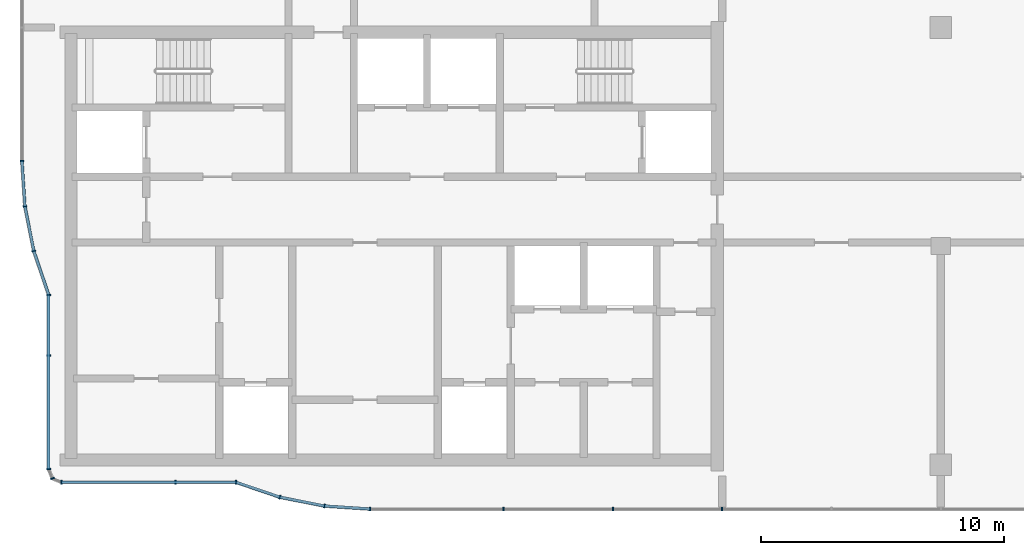
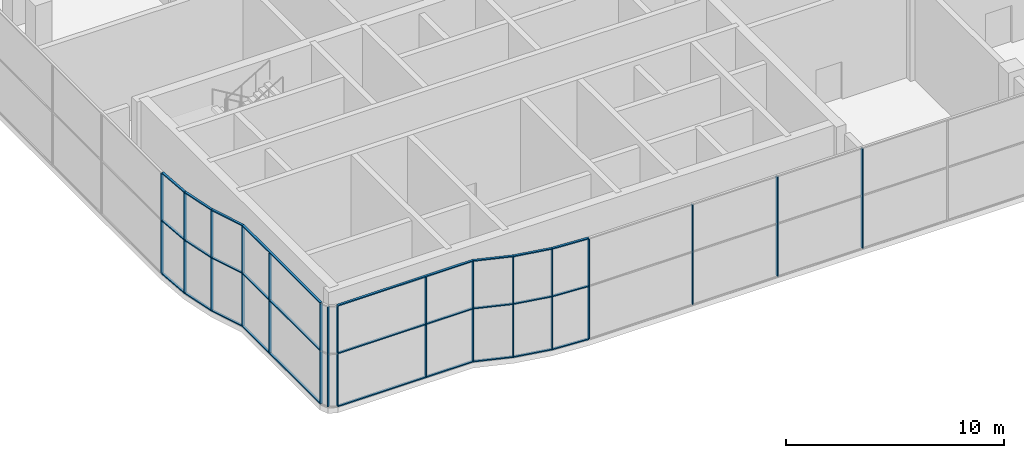
# One storey, part 2 of 19: 40 members, 7 elements without a shape of their own.
"""IFC4 building model written with IfcOpenShell, lengths in metres."""

from ifc_helpers import new_model, si_unit, direction, frame, origin, origin_2d, place, context, subcontext, project, spatial, rectangle, extrude, material, material_profile, profile_set, type_object, element, aggregate, save


model = new_model("IFC4")

# Units and contexts
model_context = context("Model", 3, precision=1e-05, world=origin(), true_north=direction((0.0, 1.0)))
body_context = subcontext(model_context, "Body", "Model", "MODEL_VIEW")
ifc_project = project(units=[si_unit("LENGTHUNIT", "METRE"), si_unit("AREAUNIT", "SQUARE_METRE"), si_unit("VOLUMEUNIT", "CUBIC_METRE"), si_unit("PLANEANGLEUNIT", "RADIAN"), si_unit("MASSUNIT", "GRAM", prefix="KILO")], contexts=[model_context])

# Site, building, storey
site_placement = place(None, origin())
site = spatial("IfcSite", under=ifc_project, at=site_placement, CompositionType="ELEMENT")
building_placement = place(site_placement, origin())
building = spatial("IfcBuilding", under=site, at=building_placement, Name="Ogive Portal Towers", CompositionType="ELEMENT")
storey_placement = place(building_placement, frame((0.0, 0.0, 254.89990234375)))
storey = spatial("IfcBuildingStorey", under=building, at=storey_placement, Name="L63", CompositionType="ELEMENT", Elevation=254.89990234375)

# Curtain wall, members
ifc_material_1 = material(Name="Glass, clear low-iron insulated glazing", Category="glass")
curtain_wall_type = type_object("IfcCurtainWallType", Name="CW OBSERVATION WALL", PredefinedType="NOTDEFINED", material=ifc_material_1)
curtain_wall_1_placement = place(storey_placement, origin())
curtain_wall_1 = element("IfcCurtainWall", 1, at=curtain_wall_1_placement, inside=storey, type_object=curtain_wall_type, Name="A:L63:f00:cw0", PredefinedType="NOTDEFINED")
ifc_material_2 = material(Name="Aluminium 6063 anodised", Category="aluminium")
ifc_material_profile_1 = material_profile(ifc_material_2, rectangle(XDim=0.159912109375, YDim=0.06005859375, at=origin_2d()), Name="AL 60x160")
ifc_profile_set_1 = profile_set([ifc_material_profile_1], Name="Aluminium 6063 anodised")
member_type_1 = type_object("IfcMemberType", Name="CW MULLION 60x160", PredefinedType="MULLION", material=ifc_profile_set_1)
member_1_placement = place(storey_placement, frame((30.780029296875, 28.494873046875, 0.06005859375), z_axis=(0.0, 0.0, 1.0), x_axis=(1.0, 0.0, 0.0)))
member_1 = element("IfcMember", 2, at=member_1_placement, type_object=member_type_1, Name="mullion", PredefinedType="MULLION", context=body_context, shape_type="SweptSolid", body=[
    extrude(rectangle(XDim=0.159912109375, YDim=0.06005859375, at=origin_2d()), origin(), (0.0, 0.0, 1.0), 5.580078125),
])
member_2_placement = place(storey_placement, frame((30.780029296875, 26.0, 0.06005859375), z_axis=(0.0, 0.0, 1.0), x_axis=(1.0, 0.0, 0.0)))
member_2 = element("IfcMember", 3, at=member_2_placement, type_object=member_type_1, Name="mullion", PredefinedType="MULLION", context=body_context, shape_type="SweptSolid", body=[
    extrude(rectangle(XDim=0.159912109375, YDim=0.06005859375, at=origin_2d()), origin(), (0.0, 0.0, 1.0), 5.580078125),
])
member_3_placement = place(storey_placement, frame((30.780029296875, 21.31591796875, 0.06005859375), z_axis=(0.0, 0.0, 1.0), x_axis=(1.0, 0.0, 0.0)))
member_3 = element("IfcMember", 4, at=member_3_placement, type_object=member_type_1, Name="mullion", PredefinedType="MULLION", context=body_context, shape_type="SweptSolid", body=[
    extrude(rectangle(XDim=0.159912109375, YDim=0.06005859375, at=origin_2d()), origin(), (0.0, 0.0, 1.0), 5.580078125),
])

curtain_wall_2_placement = place(storey_placement, origin())
curtain_wall_2 = element("IfcCurtainWall", 5, at=curtain_wall_2_placement, inside=storey, type_object=curtain_wall_type, Name="A:L63:f03:cw0", PredefinedType="NOTDEFINED")
member_4_placement = place(storey_placement, frame((31.31591796875, 20.780029296875, 0.06005859375), z_axis=(0.0, 0.0, 1.0), x_axis=(0.0, 1.0, 0.0)))
member_4 = element("IfcMember", 6, at=member_4_placement, type_object=member_type_1, Name="mullion", PredefinedType="MULLION", context=body_context, shape_type="SweptSolid", body=[
    extrude(rectangle(XDim=0.159912109375, YDim=0.06005859375, at=origin_2d()), origin(), (0.0, 0.0, 1.0), 5.580078125),
])
member_5_placement = place(storey_placement, frame((36.0, 20.780029296875, 0.06005859375), z_axis=(0.0, 0.0, 1.0), x_axis=(0.0, 1.0, 0.0)))
member_5 = element("IfcMember", 7, at=member_5_placement, type_object=member_type_1, Name="mullion", PredefinedType="MULLION", context=body_context, shape_type="SweptSolid", body=[
    extrude(rectangle(XDim=0.159912109375, YDim=0.06005859375, at=origin_2d()), origin(), (0.0, 0.0, 1.0), 5.580078125),
])
member_6_placement = place(storey_placement, frame((38.494873046875, 20.780029296875, 0.06005859375), z_axis=(0.0, 0.0, 1.0), x_axis=(0.0, 1.0, 0.0)))
member_6 = element("IfcMember", 8, at=member_6_placement, type_object=member_type_1, Name="mullion", PredefinedType="MULLION", context=body_context, shape_type="SweptSolid", body=[
    extrude(rectangle(XDim=0.159912109375, YDim=0.06005859375, at=origin_2d()), origin(), (0.0, 0.0, 1.0), 5.580078125),
])

curtain_wall_3_placement = place(storey_placement, origin())
curtain_wall_3 = element("IfcCurtainWall", 9, at=curtain_wall_3_placement, inside=storey, type_object=curtain_wall_type, Name="A:L63:f07:cw0", PredefinedType="NOTDEFINED")
member_7_placement = place(storey_placement, frame((44.002685546875, 19.679931640625, 0.06005859375), z_axis=(0.0, 0.0, 1.0), x_axis=(0.0, 1.0, 0.0)))
member_7 = element("IfcMember", 10, at=member_7_placement, type_object=member_type_1, Name="mullion", PredefinedType="MULLION", context=body_context, shape_type="SweptSolid", body=[
    extrude(rectangle(XDim=0.159912109375, YDim=0.06005859375, at=origin_2d()), origin(), (0.0, 0.0, 1.0), 5.580078125),
])
member_8_placement = place(storey_placement, frame((49.5, 19.679931640625, 0.06005859375), z_axis=(0.0, 0.0, 1.0), x_axis=(0.0, 1.0, 0.0)))
member_8 = element("IfcMember", 11, at=member_8_placement, type_object=member_type_1, Name="mullion", PredefinedType="MULLION", context=body_context, shape_type="SweptSolid", body=[
    extrude(rectangle(XDim=0.159912109375, YDim=0.06005859375, at=origin_2d()), origin(), (0.0, 0.0, 1.0), 5.580078125),
])
member_9_placement = place(storey_placement, frame((54.0, 19.679931640625, 0.06005859375), z_axis=(0.0, 0.0, 1.0), x_axis=(0.0, 1.0, 0.0)))
member_9 = element("IfcMember", 12, at=member_9_placement, type_object=member_type_1, Name="mullion", PredefinedType="MULLION", context=body_context, shape_type="SweptSolid", body=[
    extrude(rectangle(XDim=0.159912109375, YDim=0.06005859375, at=origin_2d()), origin(), (0.0, 0.0, 1.0), 5.580078125),
])
member_10_placement = place(storey_placement, frame((58.5, 19.679931640625, 0.06005859375), z_axis=(0.0, 0.0, 1.0), x_axis=(0.0, 1.0, 0.0)))
member_10 = element("IfcMember", 13, at=member_10_placement, type_object=member_type_1, Name="mullion", PredefinedType="MULLION", context=body_context, shape_type="SweptSolid", body=[
    extrude(rectangle(XDim=0.159912109375, YDim=0.06005859375, at=origin_2d()), origin(), (0.0, 0.0, 1.0), 5.580078125),
])
aggregate(curtain_wall_3, [member_7, member_8, member_9, member_10])

# Curtain wall, member
curtain_wall_4_placement = place(storey_placement, origin())
curtain_wall_4 = element("IfcCurtainWall", 14, at=curtain_wall_4_placement, inside=storey, type_object=curtain_wall_type, Name="A:L63:f25:cw0", PredefinedType="NOTDEFINED")
member_11_placement = place(storey_placement, frame((29.679931640625, 34.002685546875, 0.06005859375), z_axis=(0.0, 0.0, 1.0), x_axis=(1.0, 0.0, 0.0)))
member_11 = element("IfcMember", 15, at=member_11_placement, type_object=member_type_1, Name="mullion", PredefinedType="MULLION", context=body_context, shape_type="SweptSolid", body=[
    extrude(rectangle(XDim=0.159912109375, YDim=0.06005859375, at=origin_2d()), origin(), (0.0, 0.0, 1.0), 5.580078125),
])
aggregate(curtain_wall_4, [member_11])

curtain_wall_5_placement = place(storey_placement, origin())
curtain_wall_5 = element("IfcCurtainWall", 16, at=curtain_wall_5_placement, inside=storey, type_object=curtain_wall_type, Name="A:L63:f01:cwa", PredefinedType="NOTDEFINED")
member_12_placement = place(storey_placement, frame((30.93701171875, 20.93701171875, 0.06005859375), z_axis=(0.0, 0.0, 1.0), x_axis=(0.923879532511, 0.382683432365, 0.0)))
member_12 = element("IfcMember", 17, at=member_12_placement, type_object=member_type_1, Name="mullion", PredefinedType="MULLION", context=body_context, shape_type="SweptSolid", body=[
    extrude(rectangle(XDim=0.159912109375, YDim=0.06005859375, at=origin_2d()), origin(), (0.0, 0.0, 1.0), 5.580078125),
])
aggregate(curtain_wall_5, [member_12])

# Curtain wall, members
curtain_wall_6_placement = place(storey_placement, origin())
curtain_wall_6 = element("IfcCurtainWall", 18, at=curtain_wall_6_placement, inside=storey, type_object=curtain_wall_type, Name="A:L63:f04:cwa", PredefinedType="NOTDEFINED")
member_13_placement = place(storey_placement, frame((40.293701171875, 20.168212890625, 0.06005859375), z_axis=(0.0, 0.0, 1.0), x_axis=(0.322010234759, 0.946736187494, 0.0)))
member_13 = element("IfcMember", 19, at=member_13_placement, type_object=member_type_1, Name="mullion", PredefinedType="MULLION", context=body_context, shape_type="SweptSolid", body=[
    extrude(rectangle(XDim=0.159912109375, YDim=0.06005859375, at=origin_2d()), origin(), (0.0, 0.0, 1.0), 5.580078125),
])
member_14_placement = place(storey_placement, frame((42.130859375, 19.802734375, 0.06005859375), z_axis=(0.0, 0.0, 1.0), x_axis=(0.195090322016, 0.980785280403, 0.0)))
member_14 = element("IfcMember", 20, at=member_14_placement, type_object=member_type_1, Name="mullion", PredefinedType="MULLION", context=body_context, shape_type="SweptSolid", body=[
    extrude(rectangle(XDim=0.159912109375, YDim=0.06005859375, at=origin_2d()), origin(), (0.0, 0.0, 1.0), 5.580078125),
])

curtain_wall_7_placement = place(storey_placement, origin())
curtain_wall_7 = element("IfcCurtainWall", 21, at=curtain_wall_7_placement, inside=storey, type_object=curtain_wall_type, Name="A:L63:f26:cwa", PredefinedType="NOTDEFINED")
member_15_placement = place(storey_placement, frame((29.802734375, 32.130859375, 0.06005859375), z_axis=(0.0, 0.0, 1.0), x_axis=(0.997858923239, 0.06540312923, 0.0)))
member_15 = element("IfcMember", 22, at=member_15_placement, type_object=member_type_1, Name="mullion", PredefinedType="MULLION", context=body_context, shape_type="SweptSolid", body=[
    extrude(rectangle(XDim=0.159912109375, YDim=0.06005859375, at=origin_2d()), origin(), (0.0, 0.0, 1.0), 5.580078125),
])
member_16_placement = place(storey_placement, frame((30.168212890625, 30.293701171875, 0.06005859375), z_axis=(0.0, 0.0, 1.0), x_axis=(0.980785280403, 0.195090322016, 0.0)))
member_16 = element("IfcMember", 23, at=member_16_placement, type_object=member_type_1, Name="mullion", PredefinedType="MULLION", context=body_context, shape_type="SweptSolid", body=[
    extrude(rectangle(XDim=0.159912109375, YDim=0.06005859375, at=origin_2d()), origin(), (0.0, 0.0, 1.0), 5.580078125),
])

# Member
ifc_material_profile_2 = material_profile(ifc_material_2, rectangle(XDim=0.1201171875, YDim=0.06005859375, at=origin_2d()), Name="AL 120x60")
ifc_profile_set_2 = profile_set([ifc_material_profile_2], Name="Aluminium 6063 anodised")
member_type_2 = type_object("IfcMemberType", Name="CW TRANSOM 60x120", PredefinedType="USERDEFINED", material=ifc_profile_set_2)
member_17_placement = place(storey_placement, frame((30.780029296875, 28.494873046875, 0.030029296875), z_axis=(0.0, -1.0, 0.0), x_axis=(1.0, 0.0, 0.0)))
member_17 = element("IfcMember", 24, at=member_17_placement, type_object=member_type_2, Name="transom", ObjectType="TRANSOM", PredefinedType="USERDEFINED", context=body_context, shape_type="SweptSolid", body=[
    extrude(rectangle(XDim=0.1201171875, YDim=0.06005859375, at=origin_2d()), origin(), (0.0, 0.0, 1.0), 7.178955078125),
])

member_18_placement = place(storey_placement, frame((30.780029296875, 28.494873046875, 3.0), z_axis=(0.0, -1.0, 0.0), x_axis=(1.0, 0.0, 0.0)))
member_18 = element("IfcMember", 25, at=member_18_placement, type_object=member_type_2, Name="transom", ObjectType="TRANSOM", PredefinedType="USERDEFINED", context=body_context, shape_type="SweptSolid", body=[
    extrude(rectangle(XDim=0.1201171875, YDim=0.06005859375, at=origin_2d()), origin(), (0.0, 0.0, 1.0), 7.178955078125),
])

member_19_placement = place(storey_placement, frame((30.780029296875, 28.494873046875, 5.670166015625), z_axis=(0.0, -1.0, 0.0), x_axis=(1.0, 0.0, 0.0)))
member_19 = element("IfcMember", 26, at=member_19_placement, type_object=member_type_2, Name="transom", ObjectType="TRANSOM", PredefinedType="USERDEFINED", context=body_context, shape_type="SweptSolid", body=[
    extrude(rectangle(XDim=0.1201171875, YDim=0.06005859375, at=origin_2d()), origin(), (0.0, 0.0, 1.0), 7.178955078125),
])

aggregate(curtain_wall_1, [member_17, member_18, member_19, member_1, member_2, member_3])

member_20_placement = place(storey_placement, frame((31.31591796875, 20.780029296875, 0.030029296875), z_axis=(1.0, 0.0, 0.0), x_axis=(0.0, 1.0, 0.0)))
member_20 = element("IfcMember", 27, at=member_20_placement, type_object=member_type_2, Name="transom", ObjectType="TRANSOM", PredefinedType="USERDEFINED", context=body_context, shape_type="SweptSolid", body=[
    extrude(rectangle(XDim=0.1201171875, YDim=0.06005859375, at=origin_2d()), origin(), (0.0, 0.0, 1.0), 7.178955078125),
])

member_21_placement = place(storey_placement, frame((31.31591796875, 20.780029296875, 3.0), z_axis=(1.0, 0.0, 0.0), x_axis=(0.0, 1.0, 0.0)))
member_21 = element("IfcMember", 28, at=member_21_placement, type_object=member_type_2, Name="transom", ObjectType="TRANSOM", PredefinedType="USERDEFINED", context=body_context, shape_type="SweptSolid", body=[
    extrude(rectangle(XDim=0.1201171875, YDim=0.06005859375, at=origin_2d()), origin(), (0.0, 0.0, 1.0), 7.178955078125),
])

member_22_placement = place(storey_placement, frame((31.31591796875, 20.780029296875, 5.670166015625), z_axis=(1.0, 0.0, 0.0), x_axis=(0.0, 1.0, 0.0)))
member_22 = element("IfcMember", 29, at=member_22_placement, type_object=member_type_2, Name="transom", ObjectType="TRANSOM", PredefinedType="USERDEFINED", context=body_context, shape_type="SweptSolid", body=[
    extrude(rectangle(XDim=0.1201171875, YDim=0.06005859375, at=origin_2d()), origin(), (0.0, 0.0, 1.0), 7.178955078125),
])

aggregate(curtain_wall_2, [member_20, member_21, member_22, member_4, member_5, member_6])

member_23_placement = place(storey_placement, frame((38.494873046875, 20.780029296875, 0.030029296875), z_axis=(0.946738277956, -0.322004088566, 0.0), x_axis=(0.322004088566, 0.946738277956, 0.0)))
member_23 = element("IfcMember", 30, at=member_23_placement, type_object=member_type_2, Name="transom", ObjectType="TRANSOM", PredefinedType="USERDEFINED", context=body_context, shape_type="SweptSolid", body=[
    extrude(rectangle(XDim=0.1201171875, YDim=0.06005859375, at=origin_2d()), origin(), (0.0, 0.0, 1.0), 1.900146484375),
])

member_24_placement = place(storey_placement, frame((38.494873046875, 20.780029296875, 3.0), z_axis=(0.946738277956, -0.322004088566, 0.0), x_axis=(0.322004088566, 0.946738277956, 0.0)))
member_24 = element("IfcMember", 31, at=member_24_placement, type_object=member_type_2, Name="transom", ObjectType="TRANSOM", PredefinedType="USERDEFINED", context=body_context, shape_type="SweptSolid", body=[
    extrude(rectangle(XDim=0.1201171875, YDim=0.06005859375, at=origin_2d()), origin(), (0.0, 0.0, 1.0), 1.900146484375),
])

member_25_placement = place(storey_placement, frame((38.494873046875, 20.780029296875, 5.670166015625), z_axis=(0.946738277956, -0.322004088566, 0.0), x_axis=(0.322004088566, 0.946738277956, 0.0)))
member_25 = element("IfcMember", 32, at=member_25_placement, type_object=member_type_2, Name="transom", ObjectType="TRANSOM", PredefinedType="USERDEFINED", context=body_context, shape_type="SweptSolid", body=[
    extrude(rectangle(XDim=0.1201171875, YDim=0.06005859375, at=origin_2d()), origin(), (0.0, 0.0, 1.0), 1.900146484375),
])

member_26_placement = place(storey_placement, frame((40.293701171875, 20.168212890625, 0.030029296875), z_axis=(0.980780680537, -0.195113445683, 0.0), x_axis=(0.195113445683, 0.980780680537, 0.0)))
member_26 = element("IfcMember", 33, at=member_26_placement, type_object=member_type_2, Name="transom", ObjectType="TRANSOM", PredefinedType="USERDEFINED", context=body_context, shape_type="SweptSolid", body=[
    extrude(rectangle(XDim=0.1201171875, YDim=0.06005859375, at=origin_2d()), origin(), (0.0, 0.0, 1.0), 1.873046875),
])

member_27_placement = place(storey_placement, frame((40.293701171875, 20.168212890625, 3.0), z_axis=(0.980780680537, -0.195113445683, 0.0), x_axis=(0.195113445683, 0.980780680537, 0.0)))
member_27 = element("IfcMember", 34, at=member_27_placement, type_object=member_type_2, Name="transom", ObjectType="TRANSOM", PredefinedType="USERDEFINED", context=body_context, shape_type="SweptSolid", body=[
    extrude(rectangle(XDim=0.1201171875, YDim=0.06005859375, at=origin_2d()), origin(), (0.0, 0.0, 1.0), 1.873046875),
])

member_28_placement = place(storey_placement, frame((40.293701171875, 20.168212890625, 5.670166015625), z_axis=(0.980780680537, -0.195113445683, 0.0), x_axis=(0.195113445683, 0.980780680537, 0.0)))
member_28 = element("IfcMember", 35, at=member_28_placement, type_object=member_type_2, Name="transom", ObjectType="TRANSOM", PredefinedType="USERDEFINED", context=body_context, shape_type="SweptSolid", body=[
    extrude(rectangle(XDim=0.1201171875, YDim=0.06005859375, at=origin_2d()), origin(), (0.0, 0.0, 1.0), 1.873046875),
])

member_29_placement = place(storey_placement, frame((42.130859375, 19.802734375, 0.030029296875), z_axis=(0.997854858908, -0.065465109434, 0.0), x_axis=(0.065465109434, 0.997854858908, 0.0)))
member_29 = element("IfcMember", 36, at=member_29_placement, type_object=member_type_2, Name="transom", ObjectType="TRANSOM", PredefinedType="USERDEFINED", context=body_context, shape_type="SweptSolid", body=[
    extrude(rectangle(XDim=0.1201171875, YDim=0.06005859375, at=origin_2d()), origin(), (0.0, 0.0, 1.0), 1.875732421875),
])

member_30_placement = place(storey_placement, frame((42.130859375, 19.802734375, 3.0), z_axis=(0.997854858908, -0.065465109434, 0.0), x_axis=(0.065465109434, 0.997854858908, 0.0)))
member_30 = element("IfcMember", 37, at=member_30_placement, type_object=member_type_2, Name="transom", ObjectType="TRANSOM", PredefinedType="USERDEFINED", context=body_context, shape_type="SweptSolid", body=[
    extrude(rectangle(XDim=0.1201171875, YDim=0.06005859375, at=origin_2d()), origin(), (0.0, 0.0, 1.0), 1.875732421875),
])

member_31_placement = place(storey_placement, frame((42.130859375, 19.802734375, 5.670166015625), z_axis=(0.997854858908, -0.065465109434, 0.0), x_axis=(0.065465109434, 0.997854858908, 0.0)))
member_31 = element("IfcMember", 38, at=member_31_placement, type_object=member_type_2, Name="transom", ObjectType="TRANSOM", PredefinedType="USERDEFINED", context=body_context, shape_type="SweptSolid", body=[
    extrude(rectangle(XDim=0.1201171875, YDim=0.06005859375, at=origin_2d()), origin(), (0.0, 0.0, 1.0), 1.875732421875),
])

aggregate(curtain_wall_6, [member_23, member_24, member_25, member_26, member_27, member_28, member_29, member_30, member_31, member_13, member_14])

member_32_placement = place(storey_placement, frame((29.679931640625, 34.002685546875, 0.030029296875), z_axis=(0.065465109434, -0.997854858908, 0.0), x_axis=(0.997854858908, 0.065465109434, 0.0)))
member_32 = element("IfcMember", 39, at=member_32_placement, type_object=member_type_2, Name="transom", ObjectType="TRANSOM", PredefinedType="USERDEFINED", context=body_context, shape_type="SweptSolid", body=[
    extrude(rectangle(XDim=0.1201171875, YDim=0.06005859375, at=origin_2d()), origin(), (0.0, 0.0, 1.0), 1.875732421875),
])

member_33_placement = place(storey_placement, frame((29.679931640625, 34.002685546875, 3.0), z_axis=(0.065465109434, -0.997854858908, 0.0), x_axis=(0.997854858908, 0.065465109434, 0.0)))
member_33 = element("IfcMember", 40, at=member_33_placement, type_object=member_type_2, Name="transom", ObjectType="TRANSOM", PredefinedType="USERDEFINED", context=body_context, shape_type="SweptSolid", body=[
    extrude(rectangle(XDim=0.1201171875, YDim=0.06005859375, at=origin_2d()), origin(), (0.0, 0.0, 1.0), 1.875732421875),
])

member_34_placement = place(storey_placement, frame((29.679931640625, 34.002685546875, 5.670166015625), z_axis=(0.065465109434, -0.997854858908, 0.0), x_axis=(0.997854858908, 0.065465109434, 0.0)))
member_34 = element("IfcMember", 41, at=member_34_placement, type_object=member_type_2, Name="transom", ObjectType="TRANSOM", PredefinedType="USERDEFINED", context=body_context, shape_type="SweptSolid", body=[
    extrude(rectangle(XDim=0.1201171875, YDim=0.06005859375, at=origin_2d()), origin(), (0.0, 0.0, 1.0), 1.875732421875),
])

member_35_placement = place(storey_placement, frame((29.802734375, 32.130859375, 0.030029296875), z_axis=(0.195113445683, -0.980780680537, 0.0), x_axis=(0.980780680537, 0.195113445683, 0.0)))
member_35 = element("IfcMember", 42, at=member_35_placement, type_object=member_type_2, Name="transom", ObjectType="TRANSOM", PredefinedType="USERDEFINED", context=body_context, shape_type="SweptSolid", body=[
    extrude(rectangle(XDim=0.1201171875, YDim=0.06005859375, at=origin_2d()), origin(), (0.0, 0.0, 1.0), 1.873046875),
])

member_36_placement = place(storey_placement, frame((29.802734375, 32.130859375, 3.0), z_axis=(0.195113445683, -0.980780680537, 0.0), x_axis=(0.980780680537, 0.195113445683, 0.0)))
member_36 = element("IfcMember", 43, at=member_36_placement, type_object=member_type_2, Name="transom", ObjectType="TRANSOM", PredefinedType="USERDEFINED", context=body_context, shape_type="SweptSolid", body=[
    extrude(rectangle(XDim=0.1201171875, YDim=0.06005859375, at=origin_2d()), origin(), (0.0, 0.0, 1.0), 1.873046875),
])

member_37_placement = place(storey_placement, frame((29.802734375, 32.130859375, 5.670166015625), z_axis=(0.195113445683, -0.980780680537, 0.0), x_axis=(0.980780680537, 0.195113445683, 0.0)))
member_37 = element("IfcMember", 44, at=member_37_placement, type_object=member_type_2, Name="transom", ObjectType="TRANSOM", PredefinedType="USERDEFINED", context=body_context, shape_type="SweptSolid", body=[
    extrude(rectangle(XDim=0.1201171875, YDim=0.06005859375, at=origin_2d()), origin(), (0.0, 0.0, 1.0), 1.873046875),
])

member_38_placement = place(storey_placement, frame((30.168212890625, 30.293701171875, 0.030029296875), z_axis=(0.322004088566, -0.946738277956, 0.0), x_axis=(0.946738277956, 0.322004088566, 0.0)))
member_38 = element("IfcMember", 45, at=member_38_placement, type_object=member_type_2, Name="transom", ObjectType="TRANSOM", PredefinedType="USERDEFINED", context=body_context, shape_type="SweptSolid", body=[
    extrude(rectangle(XDim=0.1201171875, YDim=0.06005859375, at=origin_2d()), origin(), (0.0, 0.0, 1.0), 1.900146484375),
])

member_39_placement = place(storey_placement, frame((30.168212890625, 30.293701171875, 3.0), z_axis=(0.322004088566, -0.946738277956, 0.0), x_axis=(0.946738277956, 0.322004088566, 0.0)))
member_39 = element("IfcMember", 46, at=member_39_placement, type_object=member_type_2, Name="transom", ObjectType="TRANSOM", PredefinedType="USERDEFINED", context=body_context, shape_type="SweptSolid", body=[
    extrude(rectangle(XDim=0.1201171875, YDim=0.06005859375, at=origin_2d()), origin(), (0.0, 0.0, 1.0), 1.900146484375),
])

member_40_placement = place(storey_placement, frame((30.168212890625, 30.293701171875, 5.670166015625), z_axis=(0.322004088566, -0.946738277956, 0.0), x_axis=(0.946738277956, 0.322004088566, 0.0)))
member_40 = element("IfcMember", 47, at=member_40_placement, type_object=member_type_2, Name="transom", ObjectType="TRANSOM", PredefinedType="USERDEFINED", context=body_context, shape_type="SweptSolid", body=[
    extrude(rectangle(XDim=0.1201171875, YDim=0.06005859375, at=origin_2d()), origin(), (0.0, 0.0, 1.0), 1.900146484375),
])

aggregate(curtain_wall_7, [member_32, member_33, member_34, member_35, member_36, member_37, member_38, member_39, member_40, member_15, member_16])

save(model, "model.ifc")
